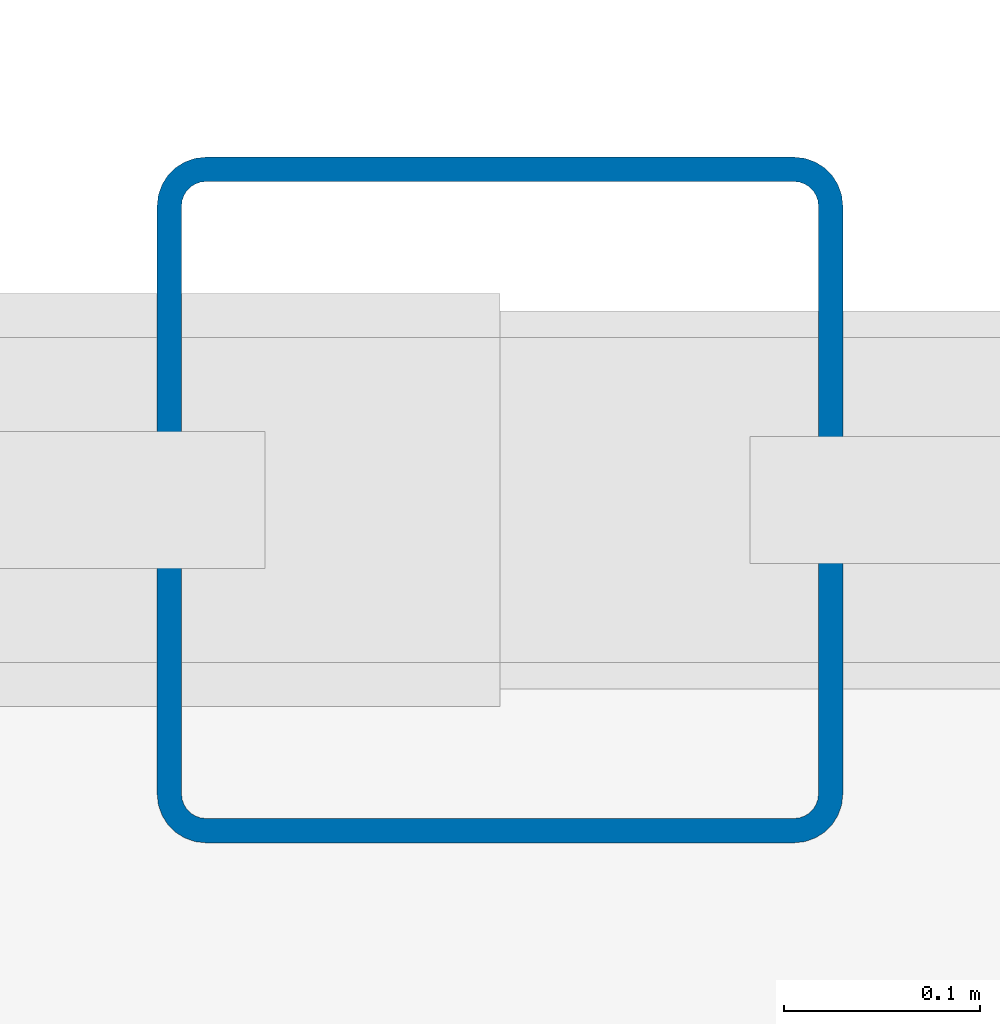
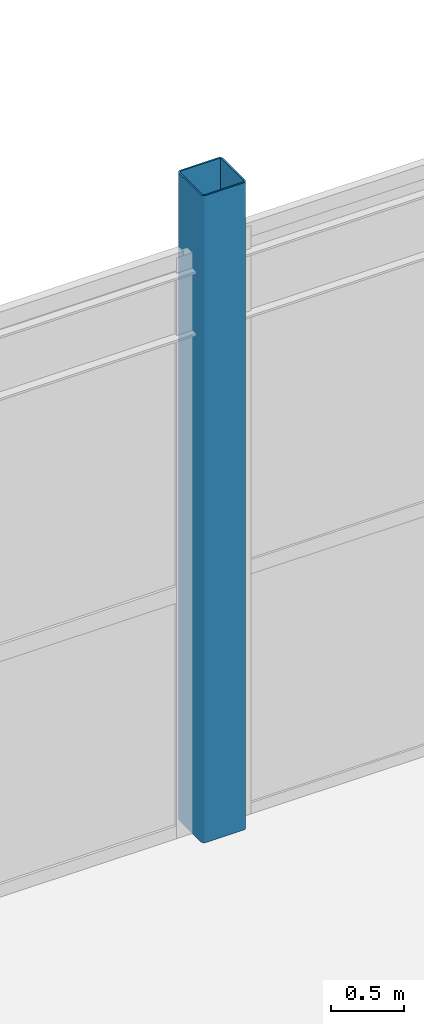
# One storey, part 20 of 119: 1 column.
"""IFC4 building model written with IfcOpenShell, lengths in metres."""

from ifc_helpers import new_model, si_unit, direction, frame, origin, origin_2d, place, context, subcontext, project, spatial, hollow_rectangle, extrude, material, material_profile, profile_set, type_object, element, save


model = new_model("IFC4")

# Units and contexts
model_context = context("Model", 3, precision=1e-05, world=origin(), true_north=direction((0.0, 1.0)))
body_context = subcontext(model_context, "Body", "Model", "MODEL_VIEW")
ifc_project = project(units=[si_unit("LENGTHUNIT", "METRE"), si_unit("AREAUNIT", "SQUARE_METRE"), si_unit("VOLUMEUNIT", "CUBIC_METRE"), si_unit("PLANEANGLEUNIT", "RADIAN"), si_unit("MASSUNIT", "GRAM", prefix="KILO")], contexts=[model_context])

# Site, building, storey
site_placement = place(None, origin())
site = spatial("IfcSite", under=ifc_project, at=site_placement, CompositionType="ELEMENT")
building_placement = place(site_placement, origin())
building = spatial("IfcBuilding", under=site, at=building_placement, Name="Qamarlyn Nura Convention Centre", CompositionType="ELEMENT")
storey_placement = place(building_placement, frame((0.0, 0.0, 5.39990234375)))
storey = spatial("IfcBuildingStorey", under=building, at=storey_placement, Name="L01", CompositionType="ELEMENT", Elevation=5.39990234375)

# Column
ifc_material = material(Name="Steel ASTM A500 Grade C", Category="steel")
ifc_material_profile = material_profile(ifc_material, hollow_rectangle(XDim=0.35009765625, YDim=0.35009765625, WallThickness=0.012451171875, InnerFilletRadius=0.012451171875, OuterFilletRadius=0.02490234375, at=origin_2d()), Name="HSS350X350X12.5")
ifc_profile_set = profile_set([ifc_material_profile], Name="Steel ASTM A500 Grade C")
column_type = type_object("IfcColumnType", Name="COL-HSS-2", PredefinedType="COLUMN", material=ifc_profile_set)
column_placement = place(storey_placement, frame((186.0, 126.0, 0.0), z_axis=(0.0, 0.0, 1.0), x_axis=(1.0, 0.0, 0.0)))
element("IfcColumn", 1, at=column_placement, inside=storey, type_object=column_type, Name="L01 column 17/Q", PredefinedType="COLUMN", context=body_context, shape_type="SweptSolid", body=[
    extrude(hollow_rectangle(XDim=0.35009765625, YDim=0.35009765625, WallThickness=0.012451171875, InnerFilletRadius=0.012451171875, OuterFilletRadius=0.02490234375, at=origin_2d()), origin(), (0.0, 0.0, 1.0), 5.400146484375),
])

save(model, "model.ifc")
